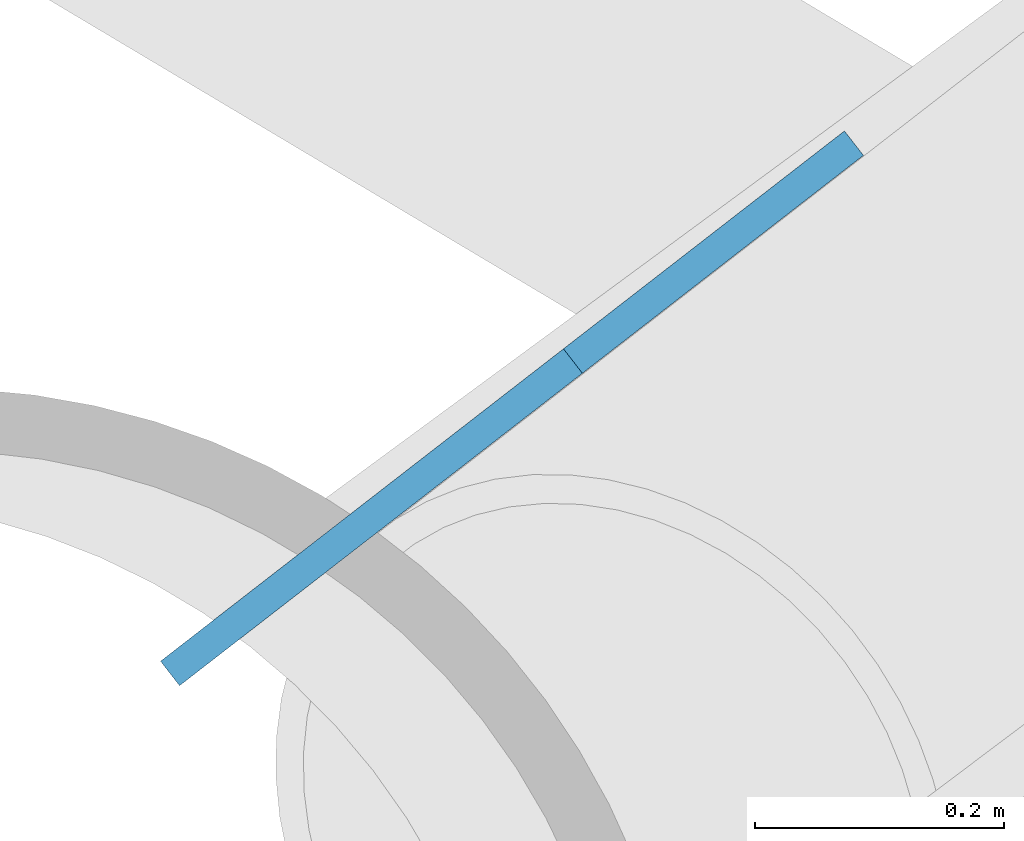
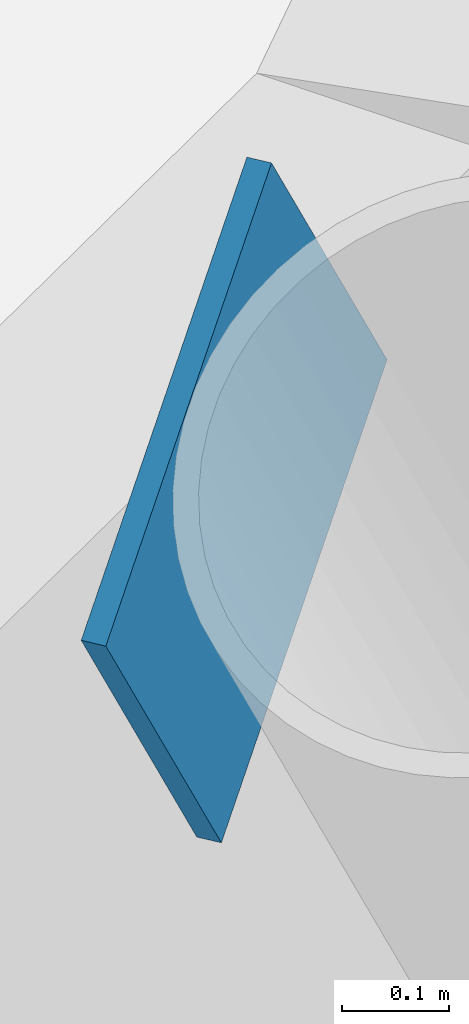
# One storey, part 10 of 22: 1 discrete accessory.
"""IFC4 building model written with IfcOpenShell, lengths in metres."""

import ifcopenshell
import ifcopenshell.guid

model = None  # the IFC model being written
_history = None  # IfcOwnerHistory: only IFC2X3 demands one
_inside = {}  # id of a spatial element -> (the spatial element, [elements in it])
_under = {}  # id of a project, library or spatial element -> (it, [spatial elements below it])
_declared = {}  # id of a project -> (the project, [libraries it declares])
_typed = {}  # id of a type object -> (the type object, [elements of that type])
_made_of = {}  # id of a material, layer set ... -> (it, [elements and type objects made of it])


def new_model(schema):
    """Start an empty IFC model of exactly this schema.

    Asked for "IFC4X3", IfcOpenShell would pick the latest addendum, in which some entities
    have other attributes; the version numbers below select the first issue.
    IFC2X3 requires an IfcOwnerHistory on every rooted entity: one is made here for all.
    """
    global model, _history
    if schema == "IFC4X3":
        model = ifcopenshell.file(schema_version=(4, 3, 0, 0))
    else:
        model = ifcopenshell.file(schema=schema)
    _inside.clear()
    _under.clear()
    _declared.clear()
    _typed.clear()
    _made_of.clear()
    _history = None
    if model.schema == "IFC2X3":
        org = make("IfcOrganization", Name="unknown")
        user = make(
            "IfcPersonAndOrganization",
            ThePerson=make("IfcPerson", FamilyName="unknown"),
            TheOrganization=org,
        )
        app = make(
            "IfcApplication",
            ApplicationDeveloper=org,
            Version="unknown",
            ApplicationFullName="unknown",
            ApplicationIdentifier="unknown",
        )
        _history = make(
            "IfcOwnerHistory",
            OwningUser=user,
            OwningApplication=app,
            ChangeAction="ADDED",
            CreationDate=0,
        )
    return model


def make(cls, **values):
    """One entity of the class cls with the attributes given. An attribute that is None is left unset."""
    return model.create_entity(
        cls, **{name: value for name, value in values.items() if value is not None}
    )


def rooted(cls, **values):
    """An entity with a GlobalId (a new one), such as an element, a storey or a relation."""
    return make(cls, GlobalId=ifcopenshell.guid.new(), OwnerHistory=_history, **values)


def si_unit(unit_type, name, prefix=None):
    """IfcSIUnit, for example si_unit("LENGTHUNIT", "METRE", prefix="MILLI")."""
    return make("IfcSIUnit", UnitType=unit_type, Prefix=prefix, Name=name)


def assignment(units):
    """IfcUnitAssignment: the units of a project."""
    return None if units is None else make("IfcUnitAssignment", Units=units)


def point(xyz):
    """IfcCartesianPoint."""
    return None if xyz is None else make("IfcCartesianPoint", Coordinates=xyz)


def direction(xyz):
    """IfcDirection."""
    return None if xyz is None else make("IfcDirection", DirectionRatios=xyz)


def frame(location, z_axis=None, x_axis=None):
    """IfcAxis2Placement3D, a coordinate frame: its origin and axes. An axis left out is left unset."""
    return make(
        "IfcAxis2Placement3D",
        Location=point(location),
        Axis=direction(z_axis),
        RefDirection=direction(x_axis),
    )


def frame_2d(location, x_axis=None):
    """IfcAxis2Placement2D, a coordinate frame in the plane: its origin and x axis."""
    return make(
        "IfcAxis2Placement2D", Location=point(location), RefDirection=direction(x_axis)
    )


def origin():
    """The frame at (0, 0, 0) with its axes left unset."""
    return frame((0.0, 0.0, 0.0))


def origin_2d():
    """The frame at (0, 0) in the plane with its x axis left unset."""
    return frame_2d((0.0, 0.0))


def place(relative_to, where):
    """IfcLocalPlacement: puts the frame where relative to a parent placement (None: the world)."""
    return make(
        "IfcLocalPlacement", PlacementRelTo=relative_to, RelativePlacement=where
    )


def context(
    kind, dimensions, precision=None, world=None, true_north=None, identifier=None
):
    """IfcGeometricRepresentationContext, for example the 3D "Model" context."""
    return make(
        "IfcGeometricRepresentationContext",
        ContextIdentifier=identifier,
        ContextType=kind,
        CoordinateSpaceDimension=dimensions,
        Precision=precision,
        WorldCoordinateSystem=world,
        TrueNorth=true_north,
    )


def subcontext(parent, identifier, kind, view, scale=None):
    """IfcGeometricRepresentationSubContext, for example "Body" below "Model"."""
    return make(
        "IfcGeometricRepresentationSubContext",
        ContextIdentifier=identifier,
        ContextType=kind,
        ParentContext=parent,
        TargetScale=scale,
        TargetView=view,
    )


def project(units=None, contexts=None):
    """IfcProject with its units and contexts."""
    return rooted(
        "IfcProject",
        Name="project",
        RepresentationContexts=contexts,
        UnitsInContext=assignment(units),
    )


def spatial(cls, under=None, at=None, **own):
    """A site, building, storey or space (cls), placed at a placement, below another one or the project."""
    s = rooted(cls, ObjectPlacement=at, **own)
    if under is not None:
        _under.setdefault(under.id(), (under, []))[1].append(s)
    return s


def profile(cls, at=None, kind="AREA", **sizes):
    """A parametric profile (cls). Its sizes go by their IFC names, for example OverallWidth=200.0."""
    return make(cls, ProfileType=kind, Position=at, **sizes)


def rectangle(**sizes):
    """IfcRectangleProfileDef."""
    return profile("IfcRectangleProfileDef", **sizes)


def extrude(swept, where, along, depth):
    """IfcExtrudedAreaSolid: the profile swept, set in the frame where, extruded along a direction by depth."""
    return make(
        "IfcExtrudedAreaSolid",
        SweptArea=swept,
        Position=where,
        ExtrudedDirection=direction(along),
        Depth=depth,
    )


def shape(context_of_items, identifier, shape_type, items):
    """IfcShapeRepresentation: the items that make up one representation, for example the "Body"."""
    return make(
        "IfcShapeRepresentation",
        ContextOfItems=context_of_items,
        RepresentationIdentifier=identifier,
        RepresentationType=shape_type,
        Items=items,
    )


def material(Name=None, Category=None):
    """IfcMaterial."""
    return make("IfcMaterial", Name=Name, Category=Category)


def material_profile(
    of_material, cross_section, Name=None, Category=None, Priority=None
):
    """IfcMaterialProfile: a cross section and its material."""
    return make(
        "IfcMaterialProfile",
        Name=Name,
        Material=of_material,
        Profile=cross_section,
        Priority=Priority,
        Category=Category,
    )


def profile_set(profiles, Name=None, composite=None):
    """IfcMaterialProfileSet."""
    return make(
        "IfcMaterialProfileSet",
        Name=Name,
        MaterialProfiles=profiles,
        CompositeProfile=composite,
    )


def made_of(thing, what):
    """Note that an element or type object is made of a material, layer set ...; save() writes the relation."""
    if what is not None:
        _made_of.setdefault(what.id(), (what, []))[1].append(thing)
    return thing


def type_object(cls, material=None, **own):
    """A type object (cls), such as IfcWallType, which elements share."""
    return made_of(rooted(cls, **own), material)


def element(
    cls,
    number,
    at=None,
    inside=None,
    cuts=None,
    type_object=None,
    material=None,
    context=None,
    identifier="Body",
    shape_type=None,
    held_by="IfcProductDefinitionShape",
    body=None,
    shapes=None,
    **own,
):
    """One element of the class cls, such as IfcWall. Its Tag is "e" and its number.

    at: its placement. inside: the storey or other place that contains it. cuts: it is an
    opening in that element (IfcRelVoidsElement). A single representation is given by context,
    identifier, shape_type and body (its items); several are given by shapes. held_by: the class
    of the entity that holds the representations. save() writes the other relations.
    """
    e = rooted(cls, Tag="e%d" % number, ObjectPlacement=at, **own)
    if body is not None:
        shapes = [shape(context, identifier, shape_type, body)]
    if shapes is not None:
        e.Representation = make(held_by, Representations=shapes)
    if inside is not None:
        _inside.setdefault(inside.id(), (inside, []))[1].append(e)
    if cuts is not None:
        rooted(
            "IfcRelVoidsElement", RelatingBuildingElement=cuts, RelatedOpeningElement=e
        )
    if type_object is not None:
        _typed.setdefault(type_object.id(), (type_object, []))[1].append(e)
    return made_of(e, material)


def aggregate(whole, parts):
    """IfcRelAggregates: a whole, such as a stair, and the parts it consists of."""
    return rooted("IfcRelAggregates", RelatingObject=whole, RelatedObjects=parts)


def save(model, path):
    """Write the relations noted so far, then the file.

    IfcRelAggregates (storeys below a building ...), IfcRelContainedInSpatialStructure (elements
    in a storey), IfcRelDefinesByType, IfcRelAssociatesMaterial and IfcRelDeclares: one each for
    every whole, place, type object, material and project.
    """
    for whole, parts in _under.values():
        aggregate(whole, parts)
    for where, things in _inside.values():
        rooted(
            "IfcRelContainedInSpatialStructure",
            RelatedElements=things,
            RelatingStructure=where,
        )
    for kind, things in _typed.values():
        rooted("IfcRelDefinesByType", RelatedObjects=things, RelatingType=kind)
    for what, things in _made_of.values():
        rooted("IfcRelAssociatesMaterial", RelatedObjects=things, RelatingMaterial=what)
    for by, libraries in _declared.values():
        rooted("IfcRelDeclares", RelatingContext=by, RelatedDefinitions=libraries)
    model.write(path)


model = new_model("IFC4")

# Units and contexts
model_context = context("Model", 3, precision=1e-05, world=origin(), true_north=direction((0.0, 1.0)))
body_context = subcontext(model_context, "Body", "Model", "MODEL_VIEW")
ifc_project = project(units=[si_unit("LENGTHUNIT", "METRE"), si_unit("AREAUNIT", "SQUARE_METRE"), si_unit("VOLUMEUNIT", "CUBIC_METRE"), si_unit("PLANEANGLEUNIT", "RADIAN"), si_unit("MASSUNIT", "GRAM", prefix="KILO")], contexts=[model_context])

# Site, building, storey
site_placement = place(None, origin())
site = spatial("IfcSite", under=ifc_project, at=site_placement, CompositionType="ELEMENT")
building_placement = place(site_placement, origin())
building = spatial("IfcBuilding", under=site, at=building_placement, Name="Tarsis Ring Headquarters", CompositionType="ELEMENT")
storey_placement = place(building_placement, frame((0.0, 0.0, 79.0)))
storey = spatial("IfcBuildingStorey", under=building, at=storey_placement, Name="L17", CompositionType="ELEMENT", Elevation=79.0)

# Discrete accessory
ifc_material = material(Name="Structural steel S355", Category="steel")
ifc_material_profile = material_profile(ifc_material, rectangle(XDim=0.02490234375, YDim=0.5, at=origin_2d()), Name="PL 25x500")
ifc_profile_set = profile_set([ifc_material_profile], Name="Structural steel S355")
discrete_accessory_type = type_object("IfcDiscreteAccessoryType", Name="Gusset plate Exo brace 25", PredefinedType="BRACKET", material=ifc_profile_set)
discrete_accessory_placement = place(storey_placement, frame((12.335205078125, -25.95654296875, 7.800048828125), z_axis=(0.452089374353, 0.350540141237, -0.820205344398), x_axis=(-0.612758261915, 0.790270404643, 0.0)))
element("IfcDiscreteAccessory", 1, at=discrete_accessory_placement, inside=storey, type_object=discrete_accessory_type, Name="Gusset plate GP5", PredefinedType="BRACKET", context=body_context, shape_type="SweptSolid", body=[
    extrude(rectangle(XDim=0.02490234375, YDim=0.5, at=origin_2d()), origin(), (0.0, 0.0, 1.0), 0.5),
])

save(model, "model.ifc")
